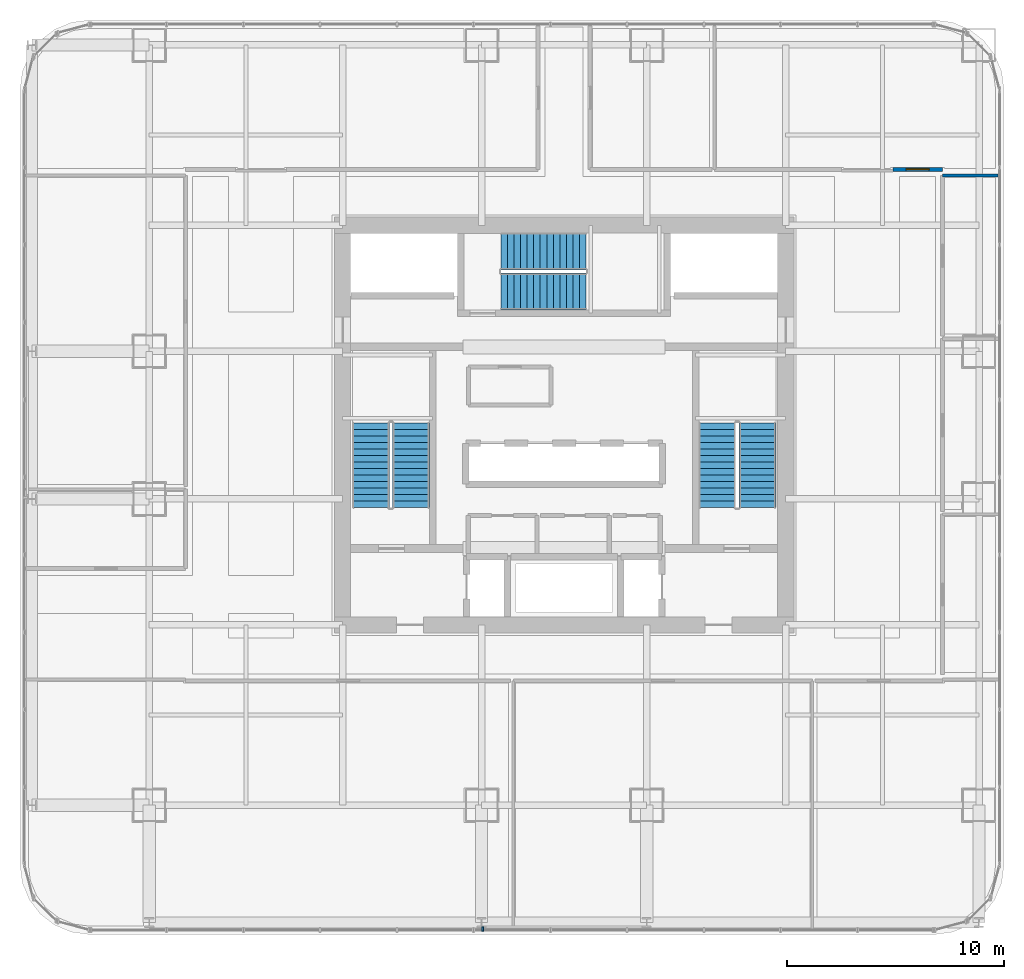
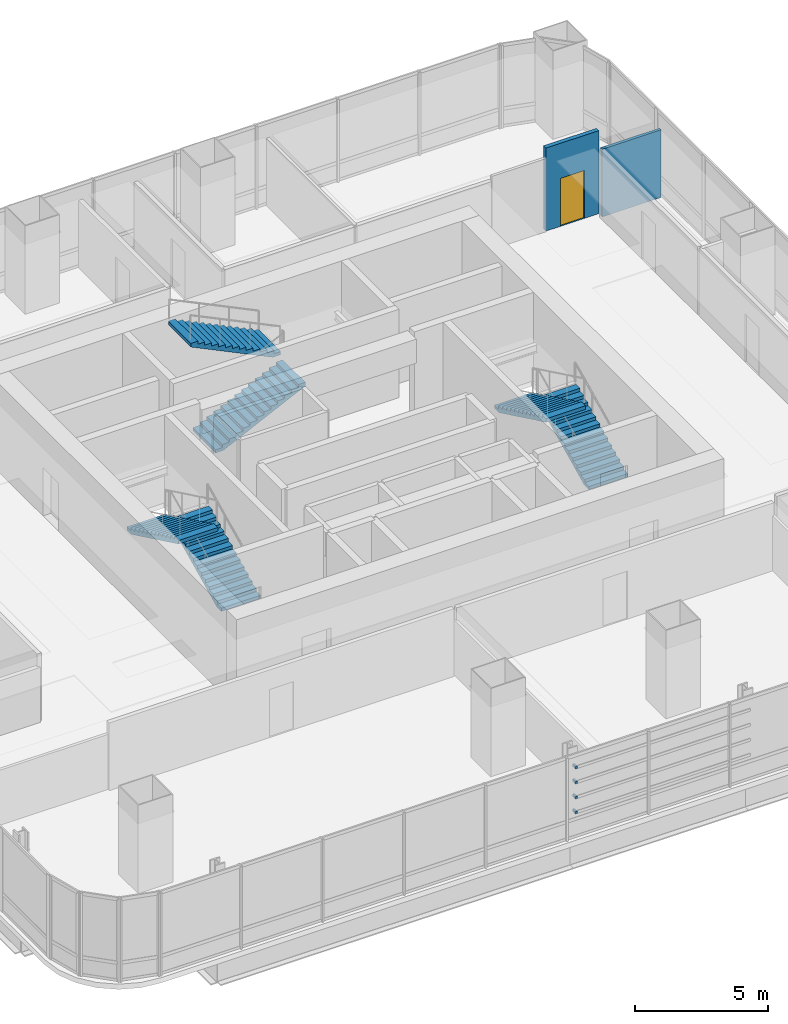
# One storey, part 30 of 36: 6 stair flights, 4 discrete accessories, 2 walls, 1 door, 1 opening, 3 elements without a shape of their own.
"""IFC4 building model written with IfcOpenShell, lengths in metres."""

import ifcopenshell
import ifcopenshell.guid

model = None  # the IFC model being written
_history = None  # IfcOwnerHistory: only IFC2X3 demands one
_inside = {}  # id of a spatial element -> (the spatial element, [elements in it])
_under = {}  # id of a project, library or spatial element -> (it, [spatial elements below it])
_declared = {}  # id of a project -> (the project, [libraries it declares])
_typed = {}  # id of a type object -> (the type object, [elements of that type])
_made_of = {}  # id of a material, layer set ... -> (it, [elements and type objects made of it])


def new_model(schema):
    """Start an empty IFC model of exactly this schema.

    Asked for "IFC4X3", IfcOpenShell would pick the latest addendum, in which some entities
    have other attributes; the version numbers below select the first issue.
    IFC2X3 requires an IfcOwnerHistory on every rooted entity: one is made here for all.
    """
    global model, _history
    if schema == "IFC4X3":
        model = ifcopenshell.file(schema_version=(4, 3, 0, 0))
    else:
        model = ifcopenshell.file(schema=schema)
    _inside.clear()
    _under.clear()
    _declared.clear()
    _typed.clear()
    _made_of.clear()
    _history = None
    if model.schema == "IFC2X3":
        org = make("IfcOrganization", Name="unknown")
        user = make(
            "IfcPersonAndOrganization",
            ThePerson=make("IfcPerson", FamilyName="unknown"),
            TheOrganization=org,
        )
        app = make(
            "IfcApplication",
            ApplicationDeveloper=org,
            Version="unknown",
            ApplicationFullName="unknown",
            ApplicationIdentifier="unknown",
        )
        _history = make(
            "IfcOwnerHistory",
            OwningUser=user,
            OwningApplication=app,
            ChangeAction="ADDED",
            CreationDate=0,
        )
    return model


def make(cls, **values):
    """One entity of the class cls with the attributes given. An attribute that is None is left unset."""
    return model.create_entity(
        cls, **{name: value for name, value in values.items() if value is not None}
    )


def rooted(cls, **values):
    """An entity with a GlobalId (a new one), such as an element, a storey or a relation."""
    return make(cls, GlobalId=ifcopenshell.guid.new(), OwnerHistory=_history, **values)


def si_unit(unit_type, name, prefix=None):
    """IfcSIUnit, for example si_unit("LENGTHUNIT", "METRE", prefix="MILLI")."""
    return make("IfcSIUnit", UnitType=unit_type, Prefix=prefix, Name=name)


def assignment(units):
    """IfcUnitAssignment: the units of a project."""
    return None if units is None else make("IfcUnitAssignment", Units=units)


def point(xyz):
    """IfcCartesianPoint."""
    return None if xyz is None else make("IfcCartesianPoint", Coordinates=xyz)


def direction(xyz):
    """IfcDirection."""
    return None if xyz is None else make("IfcDirection", DirectionRatios=xyz)


def frame(location, z_axis=None, x_axis=None):
    """IfcAxis2Placement3D, a coordinate frame: its origin and axes. An axis left out is left unset."""
    return make(
        "IfcAxis2Placement3D",
        Location=point(location),
        Axis=direction(z_axis),
        RefDirection=direction(x_axis),
    )


def frame_2d(location, x_axis=None):
    """IfcAxis2Placement2D, a coordinate frame in the plane: its origin and x axis."""
    return make(
        "IfcAxis2Placement2D", Location=point(location), RefDirection=direction(x_axis)
    )


def origin():
    """The frame at (0, 0, 0) with its axes left unset."""
    return frame((0.0, 0.0, 0.0))


def origin_2d():
    """The frame at (0, 0) in the plane with its x axis left unset."""
    return frame_2d((0.0, 0.0))


def place(relative_to, where):
    """IfcLocalPlacement: puts the frame where relative to a parent placement (None: the world)."""
    return make(
        "IfcLocalPlacement", PlacementRelTo=relative_to, RelativePlacement=where
    )


def context(
    kind, dimensions, precision=None, world=None, true_north=None, identifier=None
):
    """IfcGeometricRepresentationContext, for example the 3D "Model" context."""
    return make(
        "IfcGeometricRepresentationContext",
        ContextIdentifier=identifier,
        ContextType=kind,
        CoordinateSpaceDimension=dimensions,
        Precision=precision,
        WorldCoordinateSystem=world,
        TrueNorth=true_north,
    )


def subcontext(parent, identifier, kind, view, scale=None):
    """IfcGeometricRepresentationSubContext, for example "Body" below "Model"."""
    return make(
        "IfcGeometricRepresentationSubContext",
        ContextIdentifier=identifier,
        ContextType=kind,
        ParentContext=parent,
        TargetScale=scale,
        TargetView=view,
    )


def project(units=None, contexts=None):
    """IfcProject with its units and contexts."""
    return rooted(
        "IfcProject",
        Name="project",
        RepresentationContexts=contexts,
        UnitsInContext=assignment(units),
    )


def spatial(cls, under=None, at=None, **own):
    """A site, building, storey or space (cls), placed at a placement, below another one or the project."""
    s = rooted(cls, ObjectPlacement=at, **own)
    if under is not None:
        _under.setdefault(under.id(), (under, []))[1].append(s)
    return s


def polyline(points):
    """IfcPolyline through the points."""
    return make("IfcPolyline", Points=[point(p) for p in points])


def profile(cls, at=None, kind="AREA", **sizes):
    """A parametric profile (cls). Its sizes go by their IFC names, for example OverallWidth=200.0."""
    return make(cls, ProfileType=kind, Position=at, **sizes)


def rectangle(**sizes):
    """IfcRectangleProfileDef."""
    return profile("IfcRectangleProfileDef", **sizes)


def outline(outer, holes=None, kind="AREA"):
    """IfcArbitraryClosedProfileDef: a profile drawn as a closed curve; with holes, ...WithVoids."""
    if holes is None:
        return make("IfcArbitraryClosedProfileDef", ProfileType=kind, OuterCurve=outer)
    return make(
        "IfcArbitraryProfileDefWithVoids",
        ProfileType=kind,
        OuterCurve=outer,
        InnerCurves=holes,
    )


def extrude(swept, where, along, depth):
    """IfcExtrudedAreaSolid: the profile swept, set in the frame where, extruded along a direction by depth."""
    return make(
        "IfcExtrudedAreaSolid",
        SweptArea=swept,
        Position=where,
        ExtrudedDirection=direction(along),
        Depth=depth,
    )


def shape(context_of_items, identifier, shape_type, items):
    """IfcShapeRepresentation: the items that make up one representation, for example the "Body"."""
    return make(
        "IfcShapeRepresentation",
        ContextOfItems=context_of_items,
        RepresentationIdentifier=identifier,
        RepresentationType=shape_type,
        Items=items,
    )


def material(Name=None, Category=None):
    """IfcMaterial."""
    return make("IfcMaterial", Name=Name, Category=Category)


def layer(
    of_material, thickness, ventilated=None, Name=None, Category=None, Priority=None
):
    """IfcMaterialLayer: one layer of a wall or slab, of a material (None: an air gap)."""
    return make(
        "IfcMaterialLayer",
        Material=of_material,
        LayerThickness=thickness,
        IsVentilated=ventilated,
        Name=Name,
        Category=Category,
        Priority=Priority,
    )


def layer_set(layers, Name=None):
    """IfcMaterialLayerSet."""
    return make("IfcMaterialLayerSet", MaterialLayers=layers, LayerSetName=Name)


def made_of(thing, what):
    """Note that an element or type object is made of a material, layer set ...; save() writes the relation."""
    if what is not None:
        _made_of.setdefault(what.id(), (what, []))[1].append(thing)
    return thing


def type_object(cls, material=None, **own):
    """A type object (cls), such as IfcWallType, which elements share."""
    return made_of(rooted(cls, **own), material)


def element(
    cls,
    number,
    at=None,
    inside=None,
    cuts=None,
    type_object=None,
    material=None,
    context=None,
    identifier="Body",
    shape_type=None,
    held_by="IfcProductDefinitionShape",
    body=None,
    shapes=None,
    **own,
):
    """One element of the class cls, such as IfcWall. Its Tag is "e" and its number.

    at: its placement. inside: the storey or other place that contains it. cuts: it is an
    opening in that element (IfcRelVoidsElement). A single representation is given by context,
    identifier, shape_type and body (its items); several are given by shapes. held_by: the class
    of the entity that holds the representations. save() writes the other relations.
    """
    e = rooted(cls, Tag="e%d" % number, ObjectPlacement=at, **own)
    if body is not None:
        shapes = [shape(context, identifier, shape_type, body)]
    if shapes is not None:
        e.Representation = make(held_by, Representations=shapes)
    if inside is not None:
        _inside.setdefault(inside.id(), (inside, []))[1].append(e)
    if cuts is not None:
        rooted(
            "IfcRelVoidsElement", RelatingBuildingElement=cuts, RelatedOpeningElement=e
        )
    if type_object is not None:
        _typed.setdefault(type_object.id(), (type_object, []))[1].append(e)
    return made_of(e, material)


def fill(opening, filler):
    """IfcRelFillsElement: the door or window that sits in an opening."""
    return rooted(
        "IfcRelFillsElement",
        RelatingOpeningElement=opening,
        RelatedBuildingElement=filler,
    )


def aggregate(whole, parts):
    """IfcRelAggregates: a whole, such as a stair, and the parts it consists of."""
    return rooted("IfcRelAggregates", RelatingObject=whole, RelatedObjects=parts)


def save(model, path):
    """Write the relations noted so far, then the file.

    IfcRelAggregates (storeys below a building ...), IfcRelContainedInSpatialStructure (elements
    in a storey), IfcRelDefinesByType, IfcRelAssociatesMaterial and IfcRelDeclares: one each for
    every whole, place, type object, material and project.
    """
    for whole, parts in _under.values():
        aggregate(whole, parts)
    for where, things in _inside.values():
        rooted(
            "IfcRelContainedInSpatialStructure",
            RelatedElements=things,
            RelatingStructure=where,
        )
    for kind, things in _typed.values():
        rooted("IfcRelDefinesByType", RelatedObjects=things, RelatingType=kind)
    for what, things in _made_of.values():
        rooted("IfcRelAssociatesMaterial", RelatedObjects=things, RelatingMaterial=what)
    for by, libraries in _declared.values():
        rooted("IfcRelDeclares", RelatingContext=by, RelatedDefinitions=libraries)
    model.write(path)


model = new_model("IFC4")

# Units and contexts
model_context = context("Model", 3, precision=1e-05, world=origin(), true_north=direction((0.0, 1.0)))
body_context = subcontext(model_context, "Body", "Model", "MODEL_VIEW")
ifc_project = project(units=[si_unit("LENGTHUNIT", "METRE"), si_unit("AREAUNIT", "SQUARE_METRE"), si_unit("VOLUMEUNIT", "CUBIC_METRE"), si_unit("PLANEANGLEUNIT", "RADIAN"), si_unit("MASSUNIT", "GRAM", prefix="KILO")], contexts=[model_context])

# Site, building, storey
site_placement = place(None, origin())
site = spatial("IfcSite", under=ifc_project, at=site_placement, CompositionType="ELEMENT")
building_placement = place(site_placement, origin())
building = spatial("IfcBuilding", under=site, at=building_placement, Name="Punatoya Terracotta Tower", CompositionType="ELEMENT")
storey_placement = place(building_placement, frame((0.0, 0.0, 32.25)))
storey = spatial("IfcBuildingStorey", under=building, at=storey_placement, Name="L06", CompositionType="ELEMENT", Elevation=32.25)

# Wall, opening, door
ifc_material_1 = material(Name="Gypsum Fireboard + Steel Stud", Category="steel")
ifc_layer_1 = layer(ifc_material_1, 0.179931640625)
ifc_layer_set_1 = layer_set([ifc_layer_1], Name="Gypsum Fireboard + Steel Stud")
wall_type_1 = type_object("IfcWallType", Name="WL-CORR-180", PredefinedType="PARTITIONING", material=ifc_layer_set_1)
wall_1_placement = place(storey_placement, frame((17.419921875, 11.77001953125, 0.0), z_axis=(0.0, 0.0, 1.0), x_axis=(-1.0, 0.0, 0.0)))
wall_1 = element("IfcWall", 1, at=wall_1_placement, inside=storey, type_object=wall_type_1, Name="L06 Open-Plan Regional Operations Office Partition 34", PredefinedType="PARTITIONING", context=body_context, shape_type="SweptSolid", body=[
    extrude(rectangle(XDim=2.2900390625, YDim=0.179931640625, at=frame_2d((1.14501953125, 0.0))), origin(), (0.0, 0.0, 1.0), 3.81005859375),
])
opening_placement = place(wall_1_placement, frame((0.6201171875, 0.0, 0.0)))
opening = element("IfcOpeningElement", 2, at=opening_placement, cuts=wall_1, Name="Opening OD-01", PredefinedType="OPENING", context=body_context, shape_type="SweptSolid", body=[
    extrude(rectangle(XDim=1.050048828125, YDim=2.199951171875, at=frame_2d((0.52490234375, 1.10009765625))), frame((0.0, 0.099853515625, 0.0), z_axis=(0.0, -1.0, 0.0), x_axis=(1.0, 0.0, 0.0)), (0.0, 0.0, 1.0), 0.199951171875),
])
ifc_material_2 = material(Name="Bengal Teak Solid-Core Leaf")
door_type = type_object("IfcDoorType", Name="DR-OFF-1050", OperationType="NOTDEFINED", PredefinedType="DOOR", material=ifc_material_2)
door_placement = place(opening_placement, origin())
door = element("IfcDoor", 3, at=door_placement, inside=storey, type_object=door_type, Name="L06 Open-Plan Regional Operations Office Door", OperationType="SINGLE_SWING_LEFT", OverallHeight=2.199951171875, OverallWidth=1.050048828125, PredefinedType="DOOR", context=body_context, shape_type="SweptSolid", body=[
    extrude(rectangle(XDim=1.050048828125, YDim=2.199951171875, at=frame_2d((0.52490234375, 1.10009765625))), frame((0.0, 0.02490234375, 0.0), z_axis=(0.0, -1.0, 0.0), x_axis=(1.0, 0.0, 0.0)), (0.0, 0.0, 1.0), 0.050048828125),
])
fill(opening, door)

# Wall
ifc_material_3 = material(Name="Gypsum Partition + Steel Stud", Category="steel")
ifc_layer_2 = layer(ifc_material_3, 0.1201171875)
ifc_layer_set_2 = layer_set([ifc_layer_2], Name="Gypsum Partition + Steel Stud")
wall_type_2 = type_object("IfcWallType", Name="WL-OFF-120", PredefinedType="PARTITIONING", material=ifc_layer_set_2)
wall_2_placement = place(storey_placement, frame((17.419921875, 11.489990234375, 0.0), z_axis=(0.0, 0.0, 1.0), x_axis=(1.0, 0.0, 0.0)))
element("IfcWall", 4, at=wall_2_placement, inside=storey, type_object=wall_type_2, Name="L06 Systems Engineering Office Partition 28", PredefinedType="PARTITIONING", context=body_context, shape_type="SweptSolid", body=[
    extrude(rectangle(XDim=2.550048828125, YDim=0.1201171875, at=frame_2d((1.27490234375, 0.0))), origin(), (0.0, 0.0, 1.0), 3.10400390625),
])

# Stair, stair flights
ifc_material_4 = material(Name="Concrete C40/50", Category="concrete")
stair_type_1 = type_object("IfcStairType", Name="STR-CORE-1550", PredefinedType="HALF_TURN_STAIR", material=ifc_material_4)
stair_1_placement = place(storey_placement, origin())
stair_1 = element("IfcStair", 5, at=stair_1_placement, inside=storey, type_object=stair_type_1, Name="L06 Protected Core Exit Stair ST-1", PredefinedType="HALF_TURN_STAIR")
stair_flight_type_1 = type_object("IfcStairFlightType", Name="SFL-CORE-1550", PredefinedType="STRAIGHT", material=ifc_material_4)
stair_flight_1_placement = place(storey_placement, frame((-7.050048828125, -3.800048828125, 0.0), z_axis=(0.0, 0.0, 1.0), x_axis=(0.0, 1.0, 0.0)))
stair_flight_1 = element("IfcStairFlight", 6, at=stair_flight_1_placement, type_object=stair_flight_type_1, Name="ST-1 flight 1", NumberOfRisers=14, NumberOfTreads=13, PredefinedType="STRAIGHT", RiserHeight=0.144642857, TreadLength=0.3, context=body_context, shape_type="SweptSolid", body=[
    extrude(outline(polyline([(0.0, 0.0), (0.0, 0.14453125), (0.300048828125, 0.14453125), (0.300048828125, 0.289306640625), (0.60009765625, 0.289306640625), (0.60009765625, 0.433837890625), (0.89990234375, 0.433837890625), (0.89990234375, 0.57861328125), (1.199951171875, 0.57861328125), (1.199951171875, 0.72314453125), (1.5, 0.72314453125), (1.5, 0.867919921875), (1.800048828125, 0.867919921875), (1.800048828125, 1.012451171875), (2.10009765625, 1.012451171875), (2.10009765625, 1.1572265625), (2.39990234375, 1.1572265625), (2.39990234375, 1.3017578125), (2.699951171875, 1.3017578125), (2.699951171875, 1.446533203125), (3.0, 1.446533203125), (3.0, 1.591064453125), (3.300048828125, 1.591064453125), (3.300048828125, 1.735595703125), (3.60009765625, 1.735595703125), (3.60009765625, 1.88037109375), (3.89990234375, 1.88037109375), (3.89990234375, 2.02490234375), (3.89990234375, 1.7138671875), (0.34521484375, 0.0), (0.0, 0.0)])), frame((0.0, 0.85009765625, 0.0), z_axis=(0.0, -1.0, 0.0), x_axis=(1.0, 0.0, 0.0)), (0.0, 0.0, 1.0), 1.699951171875),
])
stair_flight_2_placement = place(storey_placement, frame((-8.89990234375, 0.10009765625, 2.02490234375), z_axis=(0.0, 0.0, 1.0), x_axis=(0.0, -1.0, 0.0)))
stair_flight_2 = element("IfcStairFlight", 7, at=stair_flight_2_placement, type_object=stair_flight_type_1, Name="ST-1 flight 2", NumberOfRisers=14, NumberOfTreads=13, PredefinedType="STRAIGHT", RiserHeight=0.144642857, TreadLength=0.3, context=body_context, shape_type="SweptSolid", body=[
    extrude(outline(polyline([(0.0, 0.0), (0.0, 0.14453125), (0.300048828125, 0.14453125), (0.300048828125, 0.289306640625), (0.60009765625, 0.289306640625), (0.60009765625, 0.433837890625), (0.89990234375, 0.433837890625), (0.89990234375, 0.57861328125), (1.199951171875, 0.57861328125), (1.199951171875, 0.72314453125), (1.5, 0.72314453125), (1.5, 0.867919921875), (1.800048828125, 0.867919921875), (1.800048828125, 1.012451171875), (2.10009765625, 1.012451171875), (2.10009765625, 1.1572265625), (2.39990234375, 1.1572265625), (2.39990234375, 1.3017578125), (2.699951171875, 1.3017578125), (2.699951171875, 1.446533203125), (3.0, 1.446533203125), (3.0, 1.591064453125), (3.300048828125, 1.591064453125), (3.300048828125, 1.735595703125), (3.60009765625, 1.735595703125), (3.60009765625, 1.88037109375), (3.89990234375, 1.88037109375), (3.89990234375, 2.02490234375), (3.89990234375, 1.7138671875), (0.34521484375, 0.0), (0.0, 0.0)])), frame((0.0, 0.85009765625, 0.0), z_axis=(0.0, -1.0, 0.0), x_axis=(1.0, 0.0, 0.0)), (0.0, 0.0, 1.0), 1.699951171875),
])
aggregate(stair_1, [stair_flight_1, stair_flight_2])

stair_type_2 = type_object("IfcStairType", Name="STR-LOB-1650", PredefinedType="HALF_TURN_STAIR", material=ifc_material_4)
stair_2_placement = place(storey_placement, origin())
stair_2 = element("IfcStair", 8, at=stair_2_placement, inside=storey, type_object=stair_type_2, Name="L06 Protected Core Exit Stair ST-2", PredefinedType="HALF_TURN_STAIR")
stair_flight_type_2 = type_object("IfcStairFlightType", Name="SFL-LOB-1650", PredefinedType="STRAIGHT", material=ifc_material_4)
stair_flight_3_placement = place(storey_placement, frame((8.89990234375, -3.800048828125, 0.0), z_axis=(0.0, 0.0, 1.0), x_axis=(0.0, 1.0, 0.0)))
stair_flight_3 = element("IfcStairFlight", 9, at=stair_flight_3_placement, type_object=stair_flight_type_2, Name="ST-2 flight 1", NumberOfRisers=14, NumberOfTreads=13, PredefinedType="STRAIGHT", RiserHeight=0.144642857, TreadLength=0.3, context=body_context, shape_type="SweptSolid", body=[
    extrude(outline(polyline([(0.0, 0.0), (0.0, 0.14453125), (0.300048828125, 0.14453125), (0.300048828125, 0.289306640625), (0.60009765625, 0.289306640625), (0.60009765625, 0.433837890625), (0.89990234375, 0.433837890625), (0.89990234375, 0.57861328125), (1.199951171875, 0.57861328125), (1.199951171875, 0.72314453125), (1.5, 0.72314453125), (1.5, 0.867919921875), (1.800048828125, 0.867919921875), (1.800048828125, 1.012451171875), (2.10009765625, 1.012451171875), (2.10009765625, 1.1572265625), (2.39990234375, 1.1572265625), (2.39990234375, 1.3017578125), (2.699951171875, 1.3017578125), (2.699951171875, 1.446533203125), (3.0, 1.446533203125), (3.0, 1.591064453125), (3.300048828125, 1.591064453125), (3.300048828125, 1.735595703125), (3.60009765625, 1.735595703125), (3.60009765625, 1.88037109375), (3.89990234375, 1.88037109375), (3.89990234375, 2.02490234375), (3.89990234375, 1.7138671875), (0.34521484375, 0.0), (0.0, 0.0)])), frame((0.0, 0.85009765625, 0.0), z_axis=(0.0, -1.0, 0.0), x_axis=(1.0, 0.0, 0.0)), (0.0, 0.0, 1.0), 1.699951171875),
])
stair_flight_4_placement = place(storey_placement, frame((7.050048828125, 0.10009765625, 2.02490234375), z_axis=(0.0, 0.0, 1.0), x_axis=(0.0, -1.0, 0.0)))
stair_flight_4 = element("IfcStairFlight", 10, at=stair_flight_4_placement, type_object=stair_flight_type_2, Name="ST-2 flight 2", NumberOfRisers=14, NumberOfTreads=13, PredefinedType="STRAIGHT", RiserHeight=0.144642857, TreadLength=0.3, context=body_context, shape_type="SweptSolid", body=[
    extrude(outline(polyline([(0.0, 0.0), (0.0, 0.14453125), (0.300048828125, 0.14453125), (0.300048828125, 0.289306640625), (0.60009765625, 0.289306640625), (0.60009765625, 0.433837890625), (0.89990234375, 0.433837890625), (0.89990234375, 0.57861328125), (1.199951171875, 0.57861328125), (1.199951171875, 0.72314453125), (1.5, 0.72314453125), (1.5, 0.867919921875), (1.800048828125, 0.867919921875), (1.800048828125, 1.012451171875), (2.10009765625, 1.012451171875), (2.10009765625, 1.1572265625), (2.39990234375, 1.1572265625), (2.39990234375, 1.3017578125), (2.699951171875, 1.3017578125), (2.699951171875, 1.446533203125), (3.0, 1.446533203125), (3.0, 1.591064453125), (3.300048828125, 1.591064453125), (3.300048828125, 1.735595703125), (3.60009765625, 1.735595703125), (3.60009765625, 1.88037109375), (3.89990234375, 1.88037109375), (3.89990234375, 2.02490234375), (3.89990234375, 1.7138671875), (0.34521484375, 0.0), (0.0, 0.0)])), frame((0.0, 0.85009765625, 0.0), z_axis=(0.0, -1.0, 0.0), x_axis=(1.0, 0.0, 0.0)), (0.0, 0.0, 1.0), 1.699951171875),
])
aggregate(stair_2, [stair_flight_3, stair_flight_4])

stair_type_3 = type_object("IfcStairType", Name="STR-TER-1450", PredefinedType="HALF_TURN_STAIR", material=ifc_material_4)
stair_3_placement = place(storey_placement, origin())
stair_3 = element("IfcStair", 11, at=stair_3_placement, inside=storey, type_object=stair_type_3, Name="L06 Protected Core Exit Stair ST-3", PredefinedType="HALF_TURN_STAIR")
stair_flight_type_3 = type_object("IfcStairFlightType", Name="SFL-TER-1450", PredefinedType="STRAIGHT", material=ifc_material_4)
stair_flight_5_placement = place(storey_placement, frame((-2.89990234375, 6.14990234375, 0.0), z_axis=(0.0, 0.0, 1.0), x_axis=(1.0, 0.0, 0.0)))
stair_flight_5 = element("IfcStairFlight", 12, at=stair_flight_5_placement, type_object=stair_flight_type_3, Name="ST-3 flight 1", NumberOfRisers=14, NumberOfTreads=13, PredefinedType="STRAIGHT", RiserHeight=0.144642857, TreadLength=0.3, context=body_context, shape_type="SweptSolid", body=[
    extrude(outline(polyline([(0.0, 0.0), (0.0, 0.14453125), (0.300048828125, 0.14453125), (0.300048828125, 0.289306640625), (0.60009765625, 0.289306640625), (0.60009765625, 0.433837890625), (0.89990234375, 0.433837890625), (0.89990234375, 0.57861328125), (1.199951171875, 0.57861328125), (1.199951171875, 0.72314453125), (1.5, 0.72314453125), (1.5, 0.867919921875), (1.800048828125, 0.867919921875), (1.800048828125, 1.012451171875), (2.10009765625, 1.012451171875), (2.10009765625, 1.1572265625), (2.39990234375, 1.1572265625), (2.39990234375, 1.3017578125), (2.699951171875, 1.3017578125), (2.699951171875, 1.446533203125), (3.0, 1.446533203125), (3.0, 1.591064453125), (3.300048828125, 1.591064453125), (3.300048828125, 1.735595703125), (3.60009765625, 1.735595703125), (3.60009765625, 1.88037109375), (3.89990234375, 1.88037109375), (3.89990234375, 2.02490234375), (3.89990234375, 1.7138671875), (0.34521484375, 0.0), (0.0, 0.0)])), frame((0.0, 0.85009765625, 0.0), z_axis=(0.0, -1.0, 0.0), x_axis=(1.0, 0.0, 0.0)), (0.0, 0.0, 1.0), 1.699951171875),
])
stair_flight_6_placement = place(storey_placement, frame((1.0, 8.0, 2.02490234375), z_axis=(0.0, 0.0, 1.0), x_axis=(-1.0, 0.0, 0.0)))
stair_flight_6 = element("IfcStairFlight", 13, at=stair_flight_6_placement, type_object=stair_flight_type_3, Name="ST-3 flight 2", NumberOfRisers=14, NumberOfTreads=13, PredefinedType="STRAIGHT", RiserHeight=0.144642857, TreadLength=0.3, context=body_context, shape_type="SweptSolid", body=[
    extrude(outline(polyline([(0.0, 0.0), (0.0, 0.14453125), (0.300048828125, 0.14453125), (0.300048828125, 0.289306640625), (0.60009765625, 0.289306640625), (0.60009765625, 0.433837890625), (0.89990234375, 0.433837890625), (0.89990234375, 0.57861328125), (1.199951171875, 0.57861328125), (1.199951171875, 0.72314453125), (1.5, 0.72314453125), (1.5, 0.867919921875), (1.800048828125, 0.867919921875), (1.800048828125, 1.012451171875), (2.10009765625, 1.012451171875), (2.10009765625, 1.1572265625), (2.39990234375, 1.1572265625), (2.39990234375, 1.3017578125), (2.699951171875, 1.3017578125), (2.699951171875, 1.446533203125), (3.0, 1.446533203125), (3.0, 1.591064453125), (3.300048828125, 1.591064453125), (3.300048828125, 1.735595703125), (3.60009765625, 1.735595703125), (3.60009765625, 1.88037109375), (3.89990234375, 1.88037109375), (3.89990234375, 2.02490234375), (3.89990234375, 1.7138671875), (0.34521484375, 0.0), (0.0, 0.0)])), frame((0.0, 0.85009765625, 0.0), z_axis=(0.0, -1.0, 0.0), x_axis=(1.0, 0.0, 0.0)), (0.0, 0.0, 1.0), 1.699951171875),
])
aggregate(stair_3, [stair_flight_5, stair_flight_6])

# Discrete accessories
ifc_material_5 = material(Name="Steel S355", Category="steel")
discrete_accessory_type = type_object("IfcDiscreteAccessoryType", Name="ACC-BRK-220", PredefinedType="BRACKET", material=ifc_material_5)
for number, where, z_axis, x_axis, name in (
    (14, (-3.75, -23.193115234375, 1.099853515625), (0.0, 0.0, 1.0), (1.0, 0.0, 0.0), "L06 Baguette Louvre Column Bracket BAG-L06-S-01"),
    (15, (-3.75, -23.193115234375, 1.78662109375), (0.0, 0.0, 1.0), (1.0, 0.0, 0.0), "L06 Baguette Louvre Column Bracket BAG-L06-S-02"),
    (16, (-3.75, -23.193115234375, 2.47314453125), (0.0, 0.0, 1.0), (1.0, 0.0, 0.0), "L06 Baguette Louvre Column Bracket BAG-L06-S-03"),
    (17, (-3.75, -23.193115234375, 3.159912109375), (0.0, 0.0, 1.0), (1.0, 0.0, 0.0), "L06 Baguette Louvre Column Bracket BAG-L06-S-04"),
):
    element("IfcDiscreteAccessory", number, at=place(storey_placement, frame(where, z_axis=z_axis, x_axis=x_axis)), inside=storey, type_object=discrete_accessory_type, Name=name, PredefinedType="BRACKET", context=body_context, shape_type="SweptSolid", body=[
        extrude(rectangle(XDim=0.090087890625, YDim=0.219970703125, at=origin_2d()), origin(), (0.0, 0.0, 1.0), 0.10009765625),
    ])

save(model, "model.ifc")
